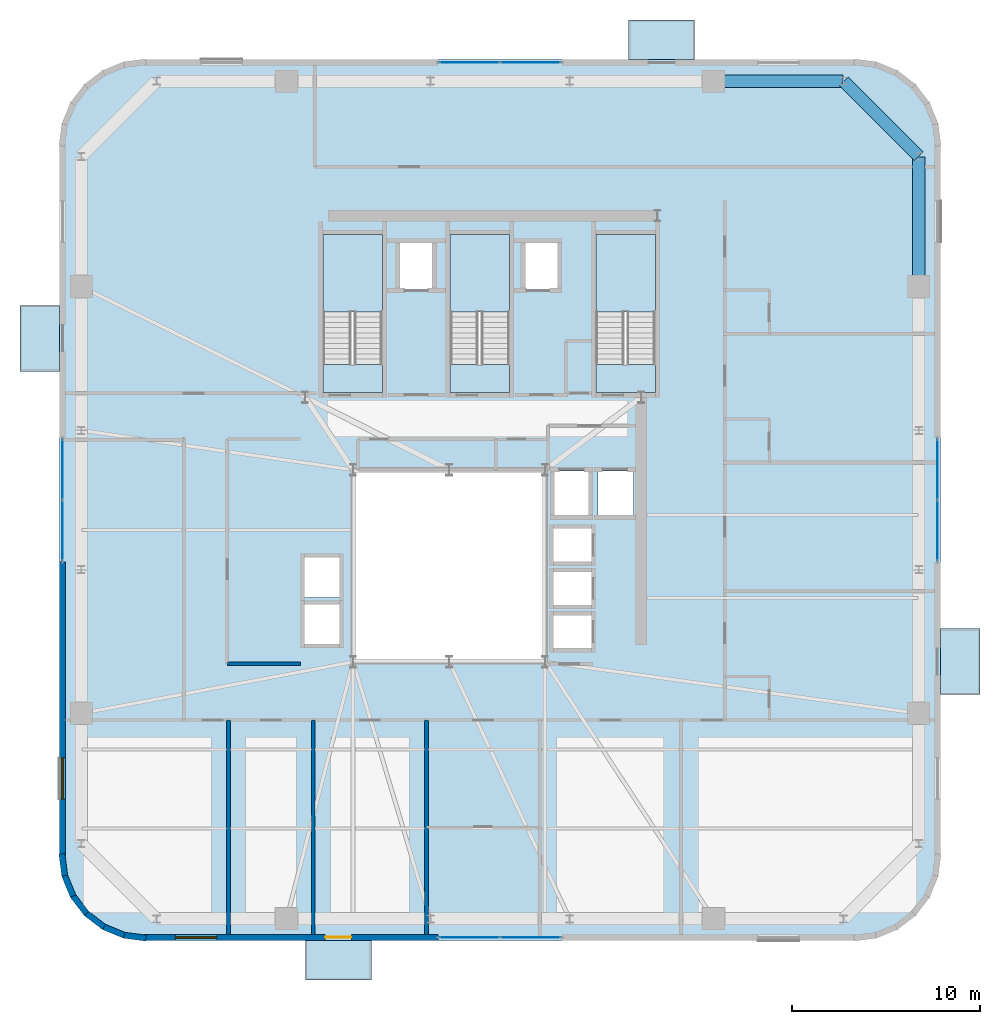
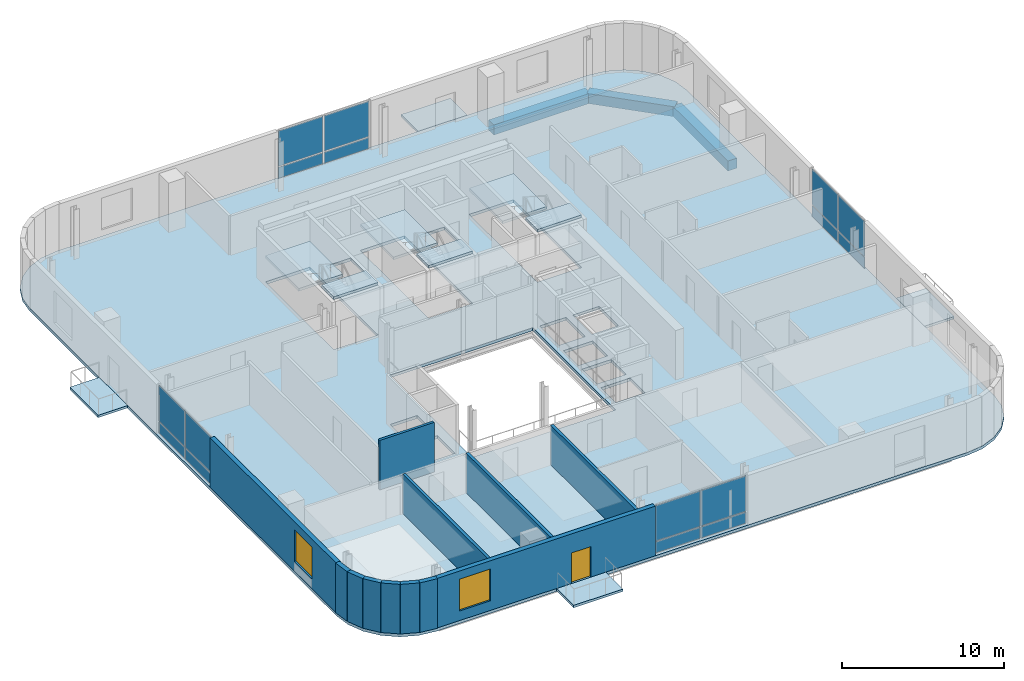
# One storey, part 7 of 15: 16 plates, 12 walls, 11 slabs, 3 beams, 2 windows, 1 door, 3 openings, 7 elements without a shape of their own.
"""IFC4 building model written with IfcOpenShell, lengths in metres."""

from ifc_helpers import new_model, si_unit, direction, frame, frame_2d, origin, origin_2d, place, context, subcontext, project, spatial, polyline, rectangle, outline, extrude, source, transform, mapped, material, layer, layer_set, material_profile, profile_set, type_object, element, fill, aggregate, save


model = new_model("IFC4")

# Units and contexts
model_context = context("Model", 3, precision=1e-05, world=origin(), true_north=direction((0.0, 1.0)))
body_context = subcontext(model_context, "Body", "Model", "MODEL_VIEW")
ifc_project = project(units=[si_unit("LENGTHUNIT", "METRE"), si_unit("AREAUNIT", "SQUARE_METRE"), si_unit("VOLUMEUNIT", "CUBIC_METRE"), si_unit("PLANEANGLEUNIT", "RADIAN"), si_unit("MASSUNIT", "GRAM", prefix="KILO")], contexts=[model_context])

# Site, building, storey
site_placement = place(None, origin())
site = spatial("IfcSite", under=ifc_project, at=site_placement, CompositionType="ELEMENT")
building_placement = place(site_placement, origin())
building = spatial("IfcBuilding", under=site, at=building_placement, Name="Vardaveli Station Tower", CompositionType="ELEMENT")
storey_placement = place(building_placement, frame((0.0, 0.0, 246.64990234375)))
storey = spatial("IfcBuildingStorey", under=building, at=storey_placement, Name="L63", CompositionType="ELEMENT", Elevation=246.64990234375)

# Beams
ifc_material_1 = material(Name="Precast concrete C45/55", Category="concrete")
ifc_material_profile = material_profile(ifc_material_1, rectangle(XDim=0.64990234375, YDim=0.75, at=origin_2d()), Name="LPB 650x750")
ifc_profile_set = profile_set([ifc_material_profile], Name="Precast concrete C45/55")
beam_type = type_object("IfcBeamType", Name="BM-LPB-750", PredefinedType="BEAM", material=ifc_profile_set)
shared_shape_1 = source(origin(), body_context, "Body", "SweptSolid", [
    extrude(rectangle(XDim=0.64990234375, YDim=0.75, at=origin_2d()), origin(), (0.0, 0.0, 1.0), 6.869873046875),
])
for number, where, z_axis, x_axis, name in (
    (1, (61.25, 36.56005859375, -0.594970703125), (0.0, 1.0, 0.0), (-1.0, 0.0, 0.0), "RBM-L63-10"),
    (2, (57.22998046875, 47.449951171875, -0.594970703125), (-1.0, 0.0, 0.0), (0.0, -1.0, 0.0), "RBM-L63-12"),
):
    element("IfcBeam", number, at=place(storey_placement, frame(where, z_axis=z_axis, x_axis=x_axis)), inside=storey, type_object=beam_type, Name=name, PredefinedType="BEAM", context=body_context, shape_type="MappedRepresentation", body=[
        mapped(shared_shape_1, transform((0.0, 0.0, 0.0), scale=1.0)),
    ])
shared_shape_2 = source(origin(), body_context, "Body", "SweptSolid", [
    extrude(rectangle(XDim=0.64990234375, YDim=0.75, at=origin_2d()), origin(), (0.0, 0.0, 1.0), 5.61669921875),
])
beam_placement = place(storey_placement, frame((61.23583984375, 43.464111328125, -0.594970703125), z_axis=(-0.707106781187, 0.707106781187, 0.0), x_axis=(-0.707106781187, -0.707106781187, 0.0)))
element("IfcBeam", 3, at=beam_placement, inside=storey, type_object=beam_type, Name="RBM-L63-11", PredefinedType="BEAM", context=body_context, shape_type="MappedRepresentation", body=[
    mapped(shared_shape_2, transform((0.0, 0.0, 0.0), scale=1.0)),
])

# Stair, slabs
ifc_material_2 = material(Name="Concrete C40/50", Category="concrete")
stair_type = type_object("IfcStairType", Name="STR-CORE-1500", PredefinedType="HALF_TURN_STAIR", material=ifc_material_2)
stair_1_placement = place(storey_placement, origin())
stair_1 = element("IfcStair", 4, at=stair_1_placement, inside=storey, type_object=stair_type, Name="L63 ST-1", PredefinedType="HALF_TURN_STAIR")
ifc_layer_1 = layer(ifc_material_2, 0.199951171875, Name="Concrete C40/50")
ifc_layer_set_1 = layer_set([ifc_layer_1], Name="Concrete C40/50")
slab_type_1 = type_object("IfcSlabType", Name="SLB-LAND-200", PredefinedType="LANDING", material=ifc_layer_set_1)
slab_1_placement = place(storey_placement, frame((0.0, 0.0, 1.775146484375)))
slab_1 = element("IfcSlab", 5, at=slab_1_placement, type_object=slab_type_1, Name="ST-1 landing 1", PredefinedType="LANDING", context=body_context, shape_type="SweptSolid", body=[
    extrude(outline(polyline([(32.75, 35.199951171875), (32.75, 39.300048828125), (29.60009765625, 39.300048828125), (29.60009765625, 35.199951171875), (32.75, 35.199951171875)])), origin(), (0.0, 0.0, 1.0), 0.199951171875),
])
slab_2_placement = place(storey_placement, frame((0.0, 0.0, 3.75)))
slab_2 = element("IfcSlab", 6, at=slab_2_placement, type_object=slab_type_1, Name="ST-1 landing 2", PredefinedType="LANDING", context=body_context, shape_type="SweptSolid", body=[
    extrude(outline(polyline([(32.75, 30.89990234375), (32.75, 32.39990234375), (29.60009765625, 32.39990234375), (29.60009765625, 30.89990234375), (32.75, 30.89990234375)])), origin(), (0.0, 0.0, 1.0), 0.2001953125),
])
aggregate(stair_1, [slab_1, slab_2])

stair_2_placement = place(storey_placement, origin())
stair_2 = element("IfcStair", 7, at=stair_2_placement, inside=storey, type_object=stair_type, Name="L63 ST-2", PredefinedType="HALF_TURN_STAIR")
slab_3_placement = place(storey_placement, frame((0.0, 0.0, 1.775146484375)))
slab_3 = element("IfcSlab", 8, at=slab_3_placement, type_object=slab_type_1, Name="ST-2 landing 1", PredefinedType="LANDING", context=body_context, shape_type="SweptSolid", body=[
    extrude(outline(polyline([(39.5, 35.199951171875), (39.5, 39.300048828125), (36.35009765625, 39.300048828125), (36.35009765625, 35.199951171875), (39.5, 35.199951171875)])), origin(), (0.0, 0.0, 1.0), 0.199951171875),
])
slab_4_placement = place(storey_placement, frame((0.0, 0.0, 3.75)))
slab_4 = element("IfcSlab", 9, at=slab_4_placement, type_object=slab_type_1, Name="ST-2 landing 2", PredefinedType="LANDING", context=body_context, shape_type="SweptSolid", body=[
    extrude(outline(polyline([(39.5, 30.89990234375), (39.5, 32.39990234375), (36.35009765625, 32.39990234375), (36.35009765625, 30.89990234375), (39.5, 30.89990234375)])), origin(), (0.0, 0.0, 1.0), 0.2001953125),
])
aggregate(stair_2, [slab_3, slab_4])

stair_3_placement = place(storey_placement, origin())
stair_3 = element("IfcStair", 10, at=stair_3_placement, inside=storey, type_object=stair_type, Name="L63 ST-3", PredefinedType="HALF_TURN_STAIR")
slab_5_placement = place(storey_placement, frame((0.0, 0.0, 1.775146484375)))
slab_5 = element("IfcSlab", 11, at=slab_5_placement, type_object=slab_type_1, Name="ST-3 landing 1", PredefinedType="LANDING", context=body_context, shape_type="SweptSolid", body=[
    extrude(outline(polyline([(47.25, 35.199951171875), (47.25, 39.300048828125), (44.10009765625, 39.300048828125), (44.10009765625, 35.199951171875), (47.25, 35.199951171875)])), origin(), (0.0, 0.0, 1.0), 0.199951171875),
])
slab_6_placement = place(storey_placement, frame((0.0, 0.0, 3.75)))
slab_6 = element("IfcSlab", 12, at=slab_6_placement, type_object=slab_type_1, Name="ST-3 landing 2", PredefinedType="LANDING", context=body_context, shape_type="SweptSolid", body=[
    extrude(outline(polyline([(47.25, 30.89990234375), (47.25, 32.39990234375), (44.10009765625, 32.39990234375), (44.10009765625, 30.89990234375), (47.25, 30.89990234375)])), origin(), (0.0, 0.0, 1.0), 0.2001953125),
])
aggregate(stair_3, [slab_5, slab_6])

# Slabs
ifc_layer_2 = layer(ifc_material_1, 0.179931640625, Name="Precast concrete C45/55")
ifc_layer_set_2 = layer_set([ifc_layer_2], Name="Precast concrete C45/55")
slab_type_2 = type_object("IfcSlabType", Name="SLB-LOGGIA-180", PredefinedType="FLOOR", material=ifc_layer_set_2)
slab_7_placement = place(storey_placement, frame((0.0, 0.0, -0.179931640625)))
element("IfcSlab", 13, at=slab_7_placement, inside=storey, type_object=slab_type_2, Name="LOG-L63-S", PredefinedType="FLOOR", context=body_context, shape_type="SweptSolid", body=[
    extrude(outline(polyline([(28.660400390625, -0.300048828125), (32.160400390625, -0.300048828125), (32.160400390625, 1.800048828125), (28.660400390625, 1.800048828125), (28.660400390625, -0.300048828125)])), origin(), (0.0, 0.0, 1.0), 0.179931640625),
])
slab_8_placement = place(storey_placement, frame((0.0, 0.0, -0.179931640625)))
element("IfcSlab", 14, at=slab_8_placement, inside=storey, type_object=slab_type_2, Name="LOG-L63-N", PredefinedType="FLOOR", context=body_context, shape_type="SweptSolid", body=[
    extrude(outline(polyline([(45.839599609375, 48.60009765625), (49.339599609375, 48.60009765625), (49.339599609375, 50.699951171875), (45.839599609375, 50.699951171875), (45.839599609375, 48.60009765625)])), origin(), (0.0, 0.0, 1.0), 0.179931640625),
])
slab_9_placement = place(storey_placement, frame((0.0, 0.0, -0.179931640625)))
element("IfcSlab", 15, at=slab_9_placement, inside=storey, type_object=slab_type_2, Name="LOG-L63-W", PredefinedType="FLOOR", context=body_context, shape_type="SweptSolid", body=[
    extrude(outline(polyline([(13.5, 32.03955078125), (15.60009765625, 32.03955078125), (15.60009765625, 35.53955078125), (13.5, 35.53955078125), (13.5, 32.03955078125)])), origin(), (0.0, 0.0, 1.0), 0.179931640625),
])
slab_10_placement = place(storey_placement, frame((0.0, 0.0, -0.179931640625)))
element("IfcSlab", 16, at=slab_10_placement, inside=storey, type_object=slab_type_2, Name="LOG-L63-E", PredefinedType="FLOOR", context=body_context, shape_type="SweptSolid", body=[
    extrude(outline(polyline([(62.39990234375, 14.8603515625), (64.5, 14.8603515625), (64.5, 18.3603515625), (62.39990234375, 18.3603515625), (62.39990234375, 14.8603515625)])), origin(), (0.0, 0.0, 1.0), 0.179931640625),
])
ifc_layer_3 = layer(ifc_material_2, 0.219970703125, Name="Concrete C40/50")
ifc_layer_set_3 = layer_set([ifc_layer_3], Name="Concrete C40/50")
slab_type_3 = type_object("IfcSlabType", Name="SLB-TOW-220", PredefinedType="FLOOR", material=ifc_layer_set_3)
slab_11_placement = place(storey_placement, frame((0.0, 0.0, -0.219970703125)))
element("IfcSlab", 17, at=slab_11_placement, inside=storey, type_object=slab_type_3, Name="SLB-L63-MAIN", PredefinedType="FLOOR", context=body_context, shape_type="SweptSolid", body=[
    extrude(outline(polyline([(15.60009765625, 6.300048828125), (15.75341796875, 5.13525390625), (16.202880859375, 4.050048828125), (16.91796875, 3.117919921875), (17.85009765625, 2.40283203125), (18.935302734375, 1.953369140625), (20.10009765625, 1.800048828125), (57.89990234375, 1.800048828125), (59.064697265625, 1.953369140625), (60.14990234375, 2.40283203125), (61.08203125, 3.117919921875), (61.797119140625, 4.050048828125), (62.24658203125, 5.13525390625), (62.39990234375, 6.300048828125), (62.39990234375, 44.10009765625), (62.24658203125, 45.2646484375), (61.797119140625, 46.35009765625), (61.08203125, 47.281982421875), (60.14990234375, 47.9970703125), (59.064697265625, 48.44677734375), (57.89990234375, 48.60009765625), (20.10009765625, 48.60009765625), (18.935302734375, 48.44677734375), (17.85009765625, 47.9970703125), (16.91796875, 47.281982421875), (16.202880859375, 46.35009765625), (15.75341796875, 45.2646484375), (15.60009765625, 44.10009765625), (15.60009765625, 6.300048828125)]), holes=[polyline([(31.199951171875, 16.60009765625), (41.39990234375, 16.60009765625), (41.39990234375, 26.800048828125), (31.199951171875, 26.800048828125), (31.199951171875, 16.60009765625)]), polyline([(32.75, 30.89990234375), (32.75, 39.300048828125), (29.60009765625, 39.300048828125), (29.60009765625, 30.89990234375), (32.75, 30.89990234375)]), polyline([(39.5, 30.89990234375), (39.5, 39.300048828125), (36.35009765625, 39.300048828125), (36.35009765625, 30.89990234375), (39.5, 30.89990234375)]), polyline([(47.25, 30.89990234375), (47.25, 39.300048828125), (44.10009765625, 39.300048828125), (44.10009765625, 30.89990234375), (47.25, 30.89990234375)]), polyline([(33.659912109375, 36.409912109375), (35.43994140625, 36.409912109375), (35.43994140625, 38.889892578125), (33.659912109375, 38.889892578125), (33.659912109375, 36.409912109375)]), polyline([(40.31005859375, 36.409912109375), (42.090087890625, 36.409912109375), (42.090087890625, 38.889892578125), (40.31005859375, 38.889892578125), (40.31005859375, 36.409912109375)]), polyline([(41.81005859375, 21.885009765625), (43.889892578125, 21.885009765625), (43.889892578125, 23.715087890625), (41.81005859375, 23.715087890625), (41.81005859375, 21.885009765625)]), polyline([(41.81005859375, 19.5849609375), (43.889892578125, 19.5849609375), (43.889892578125, 21.4150390625), (41.81005859375, 21.4150390625), (41.81005859375, 19.5849609375)]), polyline([(41.81005859375, 17.284912109375), (43.889892578125, 17.284912109375), (43.889892578125, 19.114990234375), (41.81005859375, 19.114990234375), (41.81005859375, 17.284912109375)]), polyline([(28.5849609375, 17.510009765625), (30.514892578125, 17.510009765625), (30.514892578125, 19.68994140625), (28.5849609375, 19.68994140625), (28.5849609375, 17.510009765625)]), polyline([(28.5849609375, 20.010009765625), (30.514892578125, 20.010009765625), (30.514892578125, 22.18994140625), (28.5849609375, 22.18994140625), (28.5849609375, 20.010009765625)]), polyline([(41.860107421875, 24.360107421875), (43.739990234375, 24.360107421875), (43.739990234375, 26.739990234375), (41.860107421875, 26.739990234375), (41.860107421875, 24.360107421875)]), polyline([(44.2099609375, 24.360107421875), (46.090087890625, 24.360107421875), (46.090087890625, 26.739990234375), (44.2099609375, 26.739990234375), (44.2099609375, 24.360107421875)])]), origin(), (0.0, 0.0, 1.0), 0.219970703125),
])

# Curtain wall, plates
ifc_material_3 = material(Name="Travertine stone and solar-control glass", Category="masonry")
curtain_wall_type = type_object("IfcCurtainWallType", Name="CW-SYS-5", PredefinedType="NOTDEFINED", material=ifc_material_3)
curtain_wall_1_placement = place(storey_placement, origin())
curtain_wall_1 = element("IfcCurtainWall", 18, at=curtain_wall_1_placement, inside=storey, type_object=curtain_wall_type, Name="CW-L63-S", PredefinedType="NOTDEFINED")
ifc_material_4 = material(Name="Double-glazed low-E solar-control glass", Category="glass")
ifc_layer_4 = layer(ifc_material_4, 0.031982421875, Name="Double-glazed low-E solar-control glass")
ifc_layer_set_4 = layer_set([ifc_layer_4], Name="Double-glazed low-E solar-control glass")
plate_type = type_object("IfcPlateType", Name="CW-SYS-5-PAN", PredefinedType="CURTAIN_PANEL", material=ifc_layer_set_4)
shared_shape_3 = source(origin(), body_context, "Body", "SweptSolid", [
    extrude(rectangle(XDim=3.179931640625, YDim=0.031982421875, at=origin_2d()), origin(), (0.0, 0.0, 1.0), 0.830078125),
])
plate_1_placement = place(storey_placement, frame((37.3701171875, 1.9599609375, 0.080078125), z_axis=(0.0, 0.0, 1.0), x_axis=(1.0, 0.0, 0.0)))
plate_1 = element("IfcPlate", 19, at=plate_1_placement, type_object=plate_type, Name="CW-5 panel 1.1", PredefinedType="CURTAIN_PANEL", context=body_context, shape_type="MappedRepresentation", body=[
    mapped(shared_shape_3, transform((0.0, 0.0, 0.0), scale=1.0)),
])
plate_2_placement = place(storey_placement, frame((40.6298828125, 1.9599609375, 0.080078125), z_axis=(0.0, 0.0, 1.0), x_axis=(1.0, 0.0, 0.0)))
plate_2 = element("IfcPlate", 20, at=plate_2_placement, type_object=plate_type, Name="CW-5 panel 2.1", PredefinedType="CURTAIN_PANEL", context=body_context, shape_type="MappedRepresentation", body=[
    mapped(shared_shape_3, transform((0.0, 0.0, 0.0), scale=1.0)),
])

curtain_wall_2_placement = place(storey_placement, origin())
curtain_wall_2 = element("IfcCurtainWall", 21, at=curtain_wall_2_placement, inside=storey, type_object=curtain_wall_type, Name="CW-L63-N", PredefinedType="NOTDEFINED")
plate_3_placement = place(storey_placement, frame((40.6298828125, 48.43994140625, 0.080078125), z_axis=(0.0, 0.0, 1.0), x_axis=(-1.0, 0.0, 0.0)))
plate_3 = element("IfcPlate", 22, at=plate_3_placement, type_object=plate_type, Name="CW-5 panel 1.1", PredefinedType="CURTAIN_PANEL", context=body_context, shape_type="MappedRepresentation", body=[
    mapped(shared_shape_3, transform((0.0, 0.0, 0.0), scale=1.0)),
])
plate_4_placement = place(storey_placement, frame((37.3701171875, 48.43994140625, 0.080078125), z_axis=(0.0, 0.0, 1.0), x_axis=(-1.0, 0.0, 0.0)))
plate_4 = element("IfcPlate", 23, at=plate_4_placement, type_object=plate_type, Name="CW-5 panel 2.1", PredefinedType="CURTAIN_PANEL", context=body_context, shape_type="MappedRepresentation", body=[
    mapped(shared_shape_3, transform((0.0, 0.0, 0.0), scale=1.0)),
])

curtain_wall_3_placement = place(storey_placement, origin())
curtain_wall_3 = element("IfcCurtainWall", 24, at=curtain_wall_3_placement, inside=storey, type_object=curtain_wall_type, Name="CW-L63-W", PredefinedType="NOTDEFINED")
plate_5_placement = place(storey_placement, frame((15.760009765625, 26.830078125, 0.080078125), z_axis=(0.0, 0.0, 1.0), x_axis=(0.0, -1.0, 0.0)))
plate_5 = element("IfcPlate", 25, at=plate_5_placement, type_object=plate_type, Name="CW-5 panel 1.1", PredefinedType="CURTAIN_PANEL", context=body_context, shape_type="MappedRepresentation", body=[
    mapped(shared_shape_3, transform((0.0, 0.0, 0.0), scale=1.0)),
])
plate_6_placement = place(storey_placement, frame((15.760009765625, 23.570068359375, 0.080078125), z_axis=(0.0, 0.0, 1.0), x_axis=(0.0, -1.0, 0.0)))
plate_6 = element("IfcPlate", 26, at=plate_6_placement, type_object=plate_type, Name="CW-5 panel 2.1", PredefinedType="CURTAIN_PANEL", context=body_context, shape_type="MappedRepresentation", body=[
    mapped(shared_shape_3, transform((0.0, 0.0, 0.0), scale=1.0)),
])

curtain_wall_4_placement = place(storey_placement, origin())
curtain_wall_4 = element("IfcCurtainWall", 27, at=curtain_wall_4_placement, inside=storey, type_object=curtain_wall_type, Name="CW-L63-E", PredefinedType="NOTDEFINED")
plate_7_placement = place(storey_placement, frame((62.239990234375, 23.570068359375, 0.080078125), z_axis=(0.0, 0.0, 1.0), x_axis=(0.0, 1.0, 0.0)))
plate_7 = element("IfcPlate", 28, at=plate_7_placement, type_object=plate_type, Name="CW-5 panel 1.1", PredefinedType="CURTAIN_PANEL", context=body_context, shape_type="MappedRepresentation", body=[
    mapped(shared_shape_3, transform((0.0, 0.0, 0.0), scale=1.0)),
])
plate_8_placement = place(storey_placement, frame((62.239990234375, 26.830078125, 0.080078125), z_axis=(0.0, 0.0, 1.0), x_axis=(0.0, 1.0, 0.0)))
plate_8 = element("IfcPlate", 29, at=plate_8_placement, type_object=plate_type, Name="CW-5 panel 2.1", PredefinedType="CURTAIN_PANEL", context=body_context, shape_type="MappedRepresentation", body=[
    mapped(shared_shape_3, transform((0.0, 0.0, 0.0), scale=1.0)),
])

# Plate
shared_shape_4 = source(origin(), body_context, "Body", "SweptSolid", [
    extrude(rectangle(XDim=3.179931640625, YDim=0.031982421875, at=origin_2d()), origin(), (0.0, 0.0, 1.0), 2.659912109375),
])
plate_9_placement = place(storey_placement, frame((37.3701171875, 1.9599609375, 0.990234375), z_axis=(0.0, 0.0, 1.0), x_axis=(1.0, 0.0, 0.0)))
plate_9 = element("IfcPlate", 30, at=plate_9_placement, type_object=plate_type, Name="CW-5 panel 1.2", PredefinedType="CURTAIN_PANEL", context=body_context, shape_type="MappedRepresentation", body=[
    mapped(shared_shape_4, transform((0.0, 0.0, 0.0), scale=1.0)),
])

plate_10_placement = place(storey_placement, frame((40.6298828125, 1.9599609375, 0.990234375), z_axis=(0.0, 0.0, 1.0), x_axis=(1.0, 0.0, 0.0)))
plate_10 = element("IfcPlate", 31, at=plate_10_placement, type_object=plate_type, Name="CW-5 panel 2.2", PredefinedType="CURTAIN_PANEL", context=body_context, shape_type="MappedRepresentation", body=[
    mapped(shared_shape_4, transform((0.0, 0.0, 0.0), scale=1.0)),
])

aggregate(curtain_wall_1, [plate_1, plate_9, plate_2, plate_10])

plate_11_placement = place(storey_placement, frame((40.6298828125, 48.43994140625, 0.990234375), z_axis=(0.0, 0.0, 1.0), x_axis=(-1.0, 0.0, 0.0)))
plate_11 = element("IfcPlate", 32, at=plate_11_placement, type_object=plate_type, Name="CW-5 panel 1.2", PredefinedType="CURTAIN_PANEL", context=body_context, shape_type="MappedRepresentation", body=[
    mapped(shared_shape_4, transform((0.0, 0.0, 0.0), scale=1.0)),
])

plate_12_placement = place(storey_placement, frame((37.3701171875, 48.43994140625, 0.990234375), z_axis=(0.0, 0.0, 1.0), x_axis=(-1.0, 0.0, 0.0)))
plate_12 = element("IfcPlate", 33, at=plate_12_placement, type_object=plate_type, Name="CW-5 panel 2.2", PredefinedType="CURTAIN_PANEL", context=body_context, shape_type="MappedRepresentation", body=[
    mapped(shared_shape_4, transform((0.0, 0.0, 0.0), scale=1.0)),
])

aggregate(curtain_wall_2, [plate_3, plate_11, plate_4, plate_12])

plate_13_placement = place(storey_placement, frame((15.760009765625, 26.830078125, 0.990234375), z_axis=(0.0, 0.0, 1.0), x_axis=(0.0, -1.0, 0.0)))
plate_13 = element("IfcPlate", 34, at=plate_13_placement, type_object=plate_type, Name="CW-5 panel 1.2", PredefinedType="CURTAIN_PANEL", context=body_context, shape_type="MappedRepresentation", body=[
    mapped(shared_shape_4, transform((0.0, 0.0, 0.0), scale=1.0)),
])

plate_14_placement = place(storey_placement, frame((15.760009765625, 23.570068359375, 0.990234375), z_axis=(0.0, 0.0, 1.0), x_axis=(0.0, -1.0, 0.0)))
plate_14 = element("IfcPlate", 35, at=plate_14_placement, type_object=plate_type, Name="CW-5 panel 2.2", PredefinedType="CURTAIN_PANEL", context=body_context, shape_type="MappedRepresentation", body=[
    mapped(shared_shape_4, transform((0.0, 0.0, 0.0), scale=1.0)),
])

aggregate(curtain_wall_3, [plate_5, plate_13, plate_6, plate_14])

plate_15_placement = place(storey_placement, frame((62.239990234375, 23.570068359375, 0.990234375), z_axis=(0.0, 0.0, 1.0), x_axis=(0.0, 1.0, 0.0)))
plate_15 = element("IfcPlate", 36, at=plate_15_placement, type_object=plate_type, Name="CW-5 panel 1.2", PredefinedType="CURTAIN_PANEL", context=body_context, shape_type="MappedRepresentation", body=[
    mapped(shared_shape_4, transform((0.0, 0.0, 0.0), scale=1.0)),
])

plate_16_placement = place(storey_placement, frame((62.239990234375, 26.830078125, 0.990234375), z_axis=(0.0, 0.0, 1.0), x_axis=(0.0, 1.0, 0.0)))
plate_16 = element("IfcPlate", 37, at=plate_16_placement, type_object=plate_type, Name="CW-5 panel 2.2", PredefinedType="CURTAIN_PANEL", context=body_context, shape_type="MappedRepresentation", body=[
    mapped(shared_shape_4, transform((0.0, 0.0, 0.0), scale=1.0)),
])

aggregate(curtain_wall_4, [plate_7, plate_15, plate_8, plate_16])

# Wall, openings, door, window
ifc_layer_5 = layer(ifc_material_1, 0.320068359375, Name="Precast concrete C45/55")
ifc_layer_set_5 = layer_set([ifc_layer_5], Name="Precast concrete C45/55")
wall_type_1 = type_object("IfcWallType", Name="WAL-EXT-STONE-320", PredefinedType="SOLIDWALL", material=ifc_layer_set_5)
shared_shape_5 = source(origin(), body_context, "Body", "SweptSolid", [
    extrude(rectangle(XDim=15.599853515625, YDim=0.320068359375, at=frame_2d((7.7998046875, 0.0))), origin(), (0.0, 0.0, 1.0), 3.72998046875),
])
wall_1_placement = place(storey_placement, frame((20.10009765625, 1.9599609375, 0.0), z_axis=(0.0, 0.0, 1.0), x_axis=(1.0, 0.0, 0.0)))
wall_1 = element("IfcWall", 38, at=wall_1_placement, inside=storey, type_object=wall_type_1, Name="EW-L63-S1", PredefinedType="SOLIDWALL", context=body_context, shape_type="MappedRepresentation", body=[
    mapped(shared_shape_5, transform((0.0, 0.0, 0.0), scale=1.0)),
])
shared_shape_6 = source(origin(), body_context, "Body", "SweptSolid", [
    extrude(rectangle(XDim=1.39990234375, YDim=2.300048828125, at=frame_2d((0.699951171875, 1.14990234375))), frame((0.0, 0.169921875, 0.0), z_axis=(0.0, -1.0, 0.0), x_axis=(1.0, 0.0, 0.0)), (0.0, 0.0, 1.0), 0.340087890625),
])
opening_1_placement = place(wall_1_placement, frame((9.6103515625, 0.0, 0.0)))
opening_1 = element("IfcOpeningElement", 39, at=opening_1_placement, cuts=wall_1, Name="Opening D-09", PredefinedType="OPENING", context=body_context, shape_type="MappedRepresentation", body=[
    mapped(shared_shape_6, transform((0.0, 0.0, 0.0), scale=1.0)),
])
shared_shape_7 = source(origin(), body_context, "Body", "SweptSolid", [
    extrude(rectangle(XDim=2.199951171875, YDim=2.39990234375, at=frame_2d((1.10009765625, 1.199951171875))), frame((0.0, 0.169921875, 0.0), z_axis=(0.0, -1.0, 0.0), x_axis=(1.0, 0.0, 0.0)), (0.0, 0.0, 1.0), 0.340087890625),
])
opening_2_placement = place(wall_1_placement, frame((1.655029296875, 0.0, 0.719970703125)))
opening_2 = element("IfcOpeningElement", 40, at=opening_2_placement, cuts=wall_1, Name="Opening W-03", PredefinedType="OPENING", context=body_context, shape_type="MappedRepresentation", body=[
    mapped(shared_shape_7, transform((0.0, 0.0, 0.0), scale=1.0)),
])
ifc_material_5 = material(Name="Thermally broken aluminium glass", Category="aluminium")
door_type = type_object("IfcDoorType", Name="DR-LOG-1400x2300", OperationType="DOUBLE_DOOR_SLIDING", PredefinedType="DOOR", material=ifc_material_5)
shared_shape_8 = source(origin(), body_context, "Body", "SweptSolid", [
    extrude(rectangle(XDim=1.39990234375, YDim=2.300048828125, at=frame_2d((0.699951171875, 1.14990234375))), frame((0.0, 0.02490234375, 0.0), z_axis=(0.0, -1.0, 0.0), x_axis=(1.0, 0.0, 0.0)), (0.0, 0.0, 1.0), 0.050048828125),
])
door_placement = place(opening_1_placement, frame((1.39990234375, 0.0, 0.0), z_axis=(0.0, 0.0, 1.0), x_axis=(-1.0, 0.0, 0.0)))
door = element("IfcDoor", 41, at=door_placement, inside=storey, type_object=door_type, Name="DLG-L63-S", OperationType="DOUBLE_DOOR_SLIDING", OverallHeight=2.300048828125, OverallWidth=1.39990234375, PredefinedType="DOOR", context=body_context, shape_type="MappedRepresentation", body=[
    mapped(shared_shape_8, transform((0.0, 0.0, 0.0), scale=1.0)),
])
fill(opening_1, door)
ifc_material_6 = material(Name="Low-E solar-control glass", Category="glass")
window_type = type_object("IfcWindowType", Name="WIN-LOG-2200x2400", PartitioningType="SINGLE_PANEL", PredefinedType="WINDOW", material=ifc_material_6)
shared_shape_9 = source(origin(), body_context, "Body", "SweptSolid", [
    extrude(rectangle(XDim=2.199951171875, YDim=2.39990234375, at=frame_2d((1.10009765625, 1.199951171875))), frame((0.0, 0.030029296875, 0.0), z_axis=(0.0, -1.0, 0.0), x_axis=(1.0, 0.0, 0.0)), (0.0, 0.0, 1.0), 0.06005859375),
])
window_1_placement = place(opening_2_placement, origin())
window_1 = element("IfcWindow", 42, at=window_1_placement, inside=storey, type_object=window_type, Name="WN-L63-S1", OverallHeight=2.39990234375, OverallWidth=2.199951171875, PartitioningType="SINGLE_PANEL", PredefinedType="WINDOW", context=body_context, shape_type="MappedRepresentation", body=[
    mapped(shared_shape_9, transform((0.0, 0.0, 0.0), scale=1.0)),
])
fill(opening_2, window_1)

# Wall, opening, window
wall_2_placement = place(storey_placement, frame((15.760009765625, 21.89990234375, 0.0), z_axis=(0.0, 0.0, 1.0), x_axis=(0.0, -1.0, 0.0)))
wall_2 = element("IfcWall", 43, at=wall_2_placement, inside=storey, type_object=wall_type_1, Name="EW-L63-W2", PredefinedType="SOLIDWALL", context=body_context, shape_type="MappedRepresentation", body=[
    mapped(shared_shape_5, transform((0.0, 0.0, 0.0), scale=1.0)),
])
opening_3_placement = place(wall_2_placement, frame((10.39501953125, 0.0, 0.719970703125)))
opening_3 = element("IfcOpeningElement", 44, at=opening_3_placement, cuts=wall_2, Name="Opening W-03", PredefinedType="OPENING", context=body_context, shape_type="MappedRepresentation", body=[
    mapped(shared_shape_7, transform((0.0, 0.0, 0.0), scale=1.0)),
])
window_2_placement = place(opening_3_placement, origin())
window_2 = element("IfcWindow", 45, at=window_2_placement, inside=storey, type_object=window_type, Name="WN-L63-W2", OverallHeight=2.39990234375, OverallWidth=2.199951171875, PartitioningType="SINGLE_PANEL", PredefinedType="WINDOW", context=body_context, shape_type="MappedRepresentation", body=[
    mapped(shared_shape_9, transform((0.0, 0.0, 0.0), scale=1.0)),
])
fill(opening_3, window_2)

# Walls
shared_shape_10 = source(origin(), body_context, "Body", "SweptSolid", [
    extrude(rectangle(XDim=1.170654296875, YDim=0.320068359375, at=frame_2d((0.58544921875, 0.0))), origin(), (0.0, 0.0, 1.0), 3.72998046875),
])
wall_3_placement = place(storey_placement, frame((15.724365234375, 6.400634765625, 0.0), z_axis=(0.0, 0.0, 1.0), x_axis=(0.128269133229, -0.991739395941, 0.0)))
element("IfcWall", 46, at=wall_3_placement, inside=storey, type_object=wall_type_1, Name="EW-L63-CR1-1", PredefinedType="SOLIDWALL", context=body_context, shape_type="MappedRepresentation", body=[
    mapped(shared_shape_10, transform((0.0, 0.0, 0.0), scale=1.0)),
])
shared_shape_11 = source(origin(), body_context, "Body", "SweptSolid", [
    extrude(rectangle(XDim=1.1689453125, YDim=0.320068359375, at=frame_2d((0.58447265625, 0.0))), origin(), (0.0, 0.0, 1.0), 3.72998046875),
])
for number, where, z_axis, x_axis, name in (
    (47, (15.87451171875, 5.23974609375, 0.0), (0.0, 0.0, 1.0), (0.381127904695, -0.924522320046, 0.0), "EW-L63-CR1-2"),
    (48, (16.320068359375, 4.158935546875, 0.0), (0.0, 0.0, 1.0), (0.608387696831, -0.793639975269, 0.0), "EW-L63-CR1-3"),
):
    element("IfcWall", number, at=place(storey_placement, frame(where, z_axis=z_axis, x_axis=x_axis)), inside=storey, type_object=wall_type_1, Name=name, PredefinedType="SOLIDWALL", context=body_context, shape_type="MappedRepresentation", body=[
        mapped(shared_shape_11, transform((0.0, 0.0, 0.0), scale=1.0)),
    ])
shared_shape_12 = source(origin(), body_context, "Body", "SweptSolid", [
    extrude(rectangle(XDim=1.168701171875, YDim=0.320068359375, at=frame_2d((0.58447265625, 0.0))), origin(), (0.0, 0.0, 1.0), 3.72998046875),
])
wall_4_placement = place(storey_placement, frame((17.03125, 3.231201171875, 0.0), z_axis=(0.0, 0.0, 1.0), x_axis=(0.793663520347, -0.608356981114, 0.0)))
element("IfcWall", 49, at=wall_4_placement, inside=storey, type_object=wall_type_1, Name="EW-L63-CR1-4", PredefinedType="SOLIDWALL", context=body_context, shape_type="MappedRepresentation", body=[
    mapped(shared_shape_12, transform((0.0, 0.0, 0.0), scale=1.0)),
])
shared_shape_13 = source(origin(), body_context, "Body", "SweptSolid", [
    extrude(rectangle(XDim=1.16943359375, YDim=0.320068359375, at=frame_2d((0.584716796875, 0.0))), origin(), (0.0, 0.0, 1.0), 3.72998046875),
])
wall_5_placement = place(storey_placement, frame((17.958740234375, 2.520263671875, 0.0), z_axis=(0.0, 0.0, 1.0), x_axis=(0.924479075121, -0.381232789334, 0.0)))
element("IfcWall", 50, at=wall_5_placement, inside=storey, type_object=wall_type_1, Name="EW-L63-CR1-5", PredefinedType="SOLIDWALL", context=body_context, shape_type="MappedRepresentation", body=[
    mapped(shared_shape_13, transform((0.0, 0.0, 0.0), scale=1.0)),
])
shared_shape_14 = source(origin(), body_context, "Body", "SweptSolid", [
    extrude(rectangle(XDim=1.170166015625, YDim=0.320068359375, at=frame_2d((0.5849609375, 0.0))), origin(), (0.0, 0.0, 1.0), 3.72998046875),
])
wall_6_placement = place(storey_placement, frame((19.039794921875, 2.074462890625, 0.0), z_axis=(0.0, 0.0, 1.0), x_axis=(0.991762485493, -0.128090485085, 0.0)))
element("IfcWall", 51, at=wall_6_placement, inside=storey, type_object=wall_type_1, Name="EW-L63-CR1-6", PredefinedType="SOLIDWALL", context=body_context, shape_type="MappedRepresentation", body=[
    mapped(shared_shape_14, transform((0.0, 0.0, 0.0), scale=1.0)),
])
ifc_material_7 = material(Name="Acoustic twin-stud gypsum partition")
ifc_layer_6 = layer(ifc_material_7, 0.199951171875, Name="Acoustic twin-stud gypsum partition")
ifc_layer_set_6 = layer_set([ifc_layer_6], Name="Acoustic twin-stud gypsum partition")
wall_type_2 = type_object("IfcWallType", Name="WAL-PARTY-200", PredefinedType="PARTITIONING", material=ifc_layer_set_6)
shared_shape_15 = source(origin(), body_context, "Body", "SweptSolid", [
    extrude(rectangle(XDim=11.387939453125, YDim=0.199951171875, at=frame_2d((5.69384765625, 0.0))), origin(), (0.0, 0.0, 1.0), 2.97216796875),
])
for number, where, z_axis, x_axis, name in (
    (52, (24.570068359375, 2.1220703125, 0.0), (0.0, 0.0, 1.0), (0.0, 1.0, 0.0), "W-L63-PS1"),
    (53, (29.08203125, 2.1220703125, 0.0), (0.0, 0.0, 1.0), (0.0, 1.0, 0.0), "W-L63-PS2"),
    (54, (35.094970703125, 2.1220703125, 0.0), (0.0, 0.0, 1.0), (0.0, 1.0, 0.0), "W-L63-PS3"),
):
    element("IfcWall", number, at=place(storey_placement, frame(where, z_axis=z_axis, x_axis=x_axis)), inside=storey, type_object=wall_type_2, Name=name, PredefinedType="PARTITIONING", context=body_context, shape_type="MappedRepresentation", body=[
        mapped(shared_shape_15, transform((0.0, 0.0, 0.0), scale=1.0)),
    ])
ifc_material_8 = material(Name="Fire-rated gypsum stud partition")
ifc_layer_7 = layer(ifc_material_8, 0.179931640625, Name="Fire-rated gypsum stud partition")
ifc_layer_set_7 = layer_set([ifc_layer_7], Name="Fire-rated gypsum stud partition")
wall_type_3 = type_object("IfcWallType", Name="WAL-CORR-180", PredefinedType="PARTITIONING", material=ifc_layer_set_7)
shared_shape_16 = source(origin(), body_context, "Body", "SweptSolid", [
    extrude(rectangle(XDim=3.8798828125, YDim=0.179931640625, at=frame_2d((1.93994140625, 0.0))), origin(), (0.0, 0.0, 1.0), 3.72998046875),
])
wall_7_placement = place(storey_placement, frame((24.52001953125, 16.5, 0.0), z_axis=(0.0, 0.0, 1.0), x_axis=(1.0, 0.0, 0.0)))
element("IfcWall", 55, at=wall_7_placement, inside=storey, type_object=wall_type_3, Name="W-L63-ATW-S", PredefinedType="PARTITIONING", context=body_context, shape_type="MappedRepresentation", body=[
    mapped(shared_shape_16, transform((0.0, 0.0, 0.0), scale=1.0)),
])

save(model, "model.ifc")
